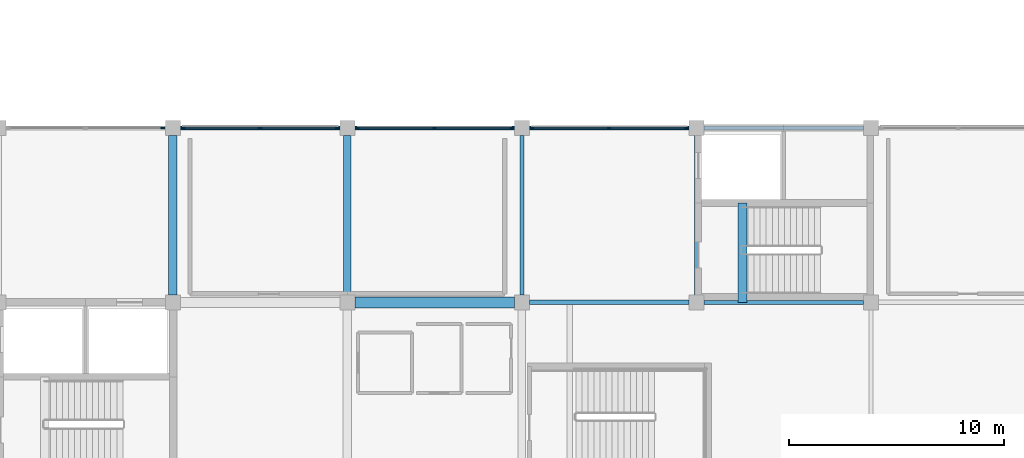
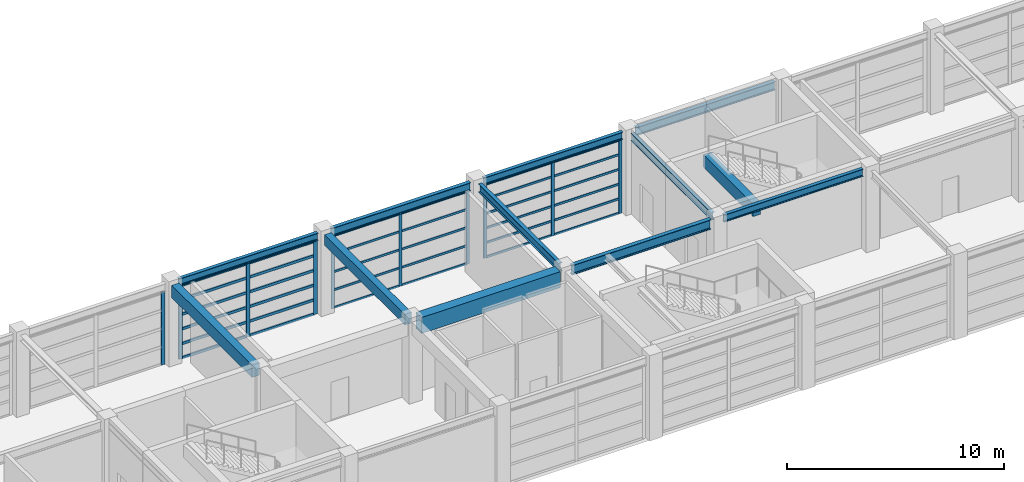
# One storey, part 31 of 58: 44 members, 12 beams, 4 elements without a shape of their own.
"""IFC4 building model written with IfcOpenShell, lengths in metres."""

from ifc_helpers import new_model, si_unit, direction, frame, origin, origin_2d, place, context, subcontext, project, spatial, rectangle, i_section, extrude, material, material_profile, profile_set, type_object, element, aggregate, save


model = new_model("IFC4")

# Units and contexts
model_context = context("Model", 3, precision=1e-05, world=origin(), true_north=direction((0.0, 1.0)))
body_context = subcontext(model_context, "Body", "Model", "MODEL_VIEW")
ifc_project = project(units=[si_unit("LENGTHUNIT", "METRE"), si_unit("AREAUNIT", "SQUARE_METRE"), si_unit("VOLUMEUNIT", "CUBIC_METRE"), si_unit("PLANEANGLEUNIT", "RADIAN"), si_unit("MASSUNIT", "GRAM", prefix="KILO")], contexts=[model_context])

# Site, building, storey
site_placement = place(None, origin())
site = spatial("IfcSite", under=ifc_project, at=site_placement, CompositionType="ELEMENT")
building_placement = place(site_placement, origin())
building = spatial("IfcBuilding", under=site, at=building_placement, Name="Parian Resonance Hall", CompositionType="ELEMENT")
storey_placement = place(building_placement, frame((0.0, 0.0, 10.199951171875)))
storey = spatial("IfcBuildingStorey", under=building, at=storey_placement, Name="L02", CompositionType="ELEMENT", Elevation=10.199951171875)

# Beams
ifc_material_1 = material(Name="Concrete C40/50", Category="concrete")
ifc_material_profile_1 = material_profile(ifc_material_1, rectangle(XDim=0.35009765625, YDim=0.60009765625, at=origin_2d()), Name="RC-BM-350x600")
ifc_profile_set_1 = profile_set([ifc_material_profile_1], Name="Concrete C40/50")
beam_type_1 = type_object("IfcBeamType", Name="BM-RC350x600", PredefinedType="BEAM", material=ifc_profile_set_1)
beam_1_placement = place(storey_placement, frame((72.89990234375, 81.35009765625, 4.260009765625), z_axis=(0.0, 1.0, 0.0), x_axis=(-1.0, 0.0, 0.0)))
element("IfcBeam", 1, at=beam_1_placement, inside=storey, type_object=beam_type_1, Name="GY-L02-0766", PredefinedType="BEAM", context=body_context, shape_type="SweptSolid", body=[
    extrude(rectangle(XDim=0.35009765625, YDim=0.60009765625, at=origin_2d()), origin(), (0.0, 0.0, 1.0), 7.39990234375),
])
ifc_material_2 = material(Name="Concrete C40/50", Category="concrete")
ifc_material_profile_2 = material_profile(ifc_material_2, rectangle(XDim=0.39990234375, YDim=0.699951171875, at=origin_2d()), Name="RC-BM-400x700")
ifc_profile_set_2 = profile_set([ifc_material_profile_2], Name="Concrete C40/50")
beam_type_2 = type_object("IfcBeamType", Name="BM-RC400x700", PredefinedType="BEAM", material=ifc_profile_set_2)
beam_2_placement = place(storey_placement, frame((64.800048828125, 81.35009765625, 4.2099609375), z_axis=(0.0, 1.0, 0.0), x_axis=(-1.0, 0.0, 0.0)))
element("IfcBeam", 2, at=beam_2_placement, inside=storey, type_object=beam_type_2, Name="GY-L02-0759", PredefinedType="BEAM", context=body_context, shape_type="SweptSolid", body=[
    extrude(rectangle(XDim=0.39990234375, YDim=0.699951171875, at=origin_2d()), origin(), (0.0, 0.0, 1.0), 7.39990234375),
])
beam_3_placement = place(storey_placement, frame((91.239990234375, 81.0, 4.2099609375), z_axis=(0.0, 1.0, 0.0), x_axis=(-1.0, 0.0, 0.0)))
element("IfcBeam", 3, at=beam_3_placement, inside=storey, type_object=beam_type_2, Name="Core K5 stair arrival trimmer beam L02", PredefinedType="BEAM", context=body_context, shape_type="SweptSolid", body=[
    extrude(rectangle(XDim=0.39990234375, YDim=0.699951171875, at=origin_2d()), origin(), (0.0, 0.0, 1.0), 4.610107421875),
])
ifc_material_3 = material(Name="Concrete C40/50", Category="concrete")
ifc_material_profile_3 = material_profile(ifc_material_3, rectangle(XDim=0.5, YDim=0.89990234375, at=origin_2d()), Name="RC-BM-500x900")
ifc_profile_set_3 = profile_set([ifc_material_profile_3], Name="Concrete C40/50")
beam_type_3 = type_object("IfcBeamType", Name="BM-RC500x900", PredefinedType="USERDEFINED", material=ifc_profile_set_3)
beam_4_placement = place(storey_placement, frame((73.25, 81.0, 4.110107421875), z_axis=(1.0, 0.0, 0.0), x_axis=(0.0, 1.0, 0.0)))
element("IfcBeam", 4, at=beam_4_placement, inside=storey, type_object=beam_type_3, Name="GX-L02-0688", ObjectType="GIRDER", PredefinedType="USERDEFINED", context=body_context, shape_type="SweptSolid", body=[
    extrude(rectangle(XDim=0.5, YDim=0.89990234375, at=origin_2d()), origin(), (0.0, 0.0, 1.0), 7.39990234375),
])
ifc_material_4 = material(Name="Steel S355", Category="steel")
ifc_material_profile_4 = material_profile(ifc_material_4, i_section(OverallWidth=0.180908203125, OverallDepth=0.4169921875, WebThickness=0.010986328125, FlangeThickness=0.018310546875, FilletRadius=0.01513671875, at=origin_2d()), Name="W410x85")
ifc_profile_set_4 = profile_set([ifc_material_profile_4], Name="Steel S355")
beam_type_4 = type_object("IfcBeamType", Name="BM-W410x85", PredefinedType="SPANDREL", material=ifc_profile_set_4)
beam_5_placement = place(storey_placement, frame((65.14990234375, 89.10009765625, 4.3515625), z_axis=(1.0, 0.0, 0.0), x_axis=(0.0, 1.0, 0.0)))
element("IfcBeam", 5, at=beam_5_placement, inside=storey, type_object=beam_type_4, Name="GX-L02-0684", PredefinedType="SPANDREL", context=body_context, shape_type="SweptSolid", body=[
    extrude(i_section(OverallWidth=0.180908203125, OverallDepth=0.4169921875, WebThickness=0.010986328125, FlangeThickness=0.018310546875, FilletRadius=0.01513671875, at=origin_2d()), origin(), (0.0, 0.0, 1.0), 7.400146484375),
])
beam_6_placement = place(storey_placement, frame((81.35009765625, 89.10009765625, 4.3515625), z_axis=(1.0, 0.0, 0.0), x_axis=(0.0, 1.0, 0.0)))
element("IfcBeam", 6, at=beam_6_placement, inside=storey, type_object=beam_type_4, Name="GX-L02-0694", PredefinedType="SPANDREL", context=body_context, shape_type="SweptSolid", body=[
    extrude(i_section(OverallWidth=0.180908203125, OverallDepth=0.4169921875, WebThickness=0.010986328125, FlangeThickness=0.018310546875, FilletRadius=0.01513671875, at=origin_2d()), origin(), (0.0, 0.0, 1.0), 7.39990234375),
])
beam_7_placement = place(storey_placement, frame((89.449951171875, 81.0, 4.3515625), z_axis=(1.0, 0.0, 0.0), x_axis=(0.0, 1.0, 0.0)))
element("IfcBeam", 7, at=beam_7_placement, inside=storey, type_object=beam_type_4, Name="GX-L02-0698", PredefinedType="SPANDREL", context=body_context, shape_type="SweptSolid", body=[
    extrude(i_section(OverallWidth=0.180908203125, OverallDepth=0.4169921875, WebThickness=0.010986328125, FlangeThickness=0.018310546875, FilletRadius=0.01513671875, at=origin_2d()), origin(), (0.0, 0.0, 1.0), 7.400146484375),
])
beam_8_placement = place(storey_placement, frame((89.10009765625, 81.35009765625, 4.3515625), z_axis=(0.0, 1.0, 0.0), x_axis=(-1.0, 0.0, 0.0)))
element("IfcBeam", 8, at=beam_8_placement, inside=storey, type_object=beam_type_4, Name="GY-L02-0769", PredefinedType="SPANDREL", context=body_context, shape_type="SweptSolid", body=[
    extrude(i_section(OverallWidth=0.180908203125, OverallDepth=0.4169921875, WebThickness=0.010986328125, FlangeThickness=0.018310546875, FilletRadius=0.01513671875, at=origin_2d()), origin(), (0.0, 0.0, 1.0), 7.39990234375),
])
ifc_material_5 = material(Name="Steel S355", Category="steel")
ifc_material_profile_5 = material_profile(ifc_material_5, i_section(OverallWidth=0.194091796875, OverallDepth=0.468994140625, WebThickness=0.0126953125, FlangeThickness=0.0205078125, FilletRadius=0.01513671875, at=origin_2d()), Name="W460x106")
ifc_profile_set_5 = profile_set([ifc_material_profile_5], Name="Steel S355")
beam_type_5 = type_object("IfcBeamType", Name="BM-W460x106", PredefinedType="SPANDREL", material=ifc_profile_set_5)
beam_9_placement = place(storey_placement, frame((73.25, 89.10009765625, 4.325439453125), z_axis=(1.0, 0.0, 0.0), x_axis=(0.0, 1.0, 0.0)))
element("IfcBeam", 9, at=beam_9_placement, inside=storey, type_object=beam_type_5, Name="GX-L02-0689", PredefinedType="SPANDREL", context=body_context, shape_type="SweptSolid", body=[
    extrude(i_section(OverallWidth=0.194091796875, OverallDepth=0.468994140625, WebThickness=0.0126953125, FlangeThickness=0.0205078125, FilletRadius=0.01513671875, at=origin_2d()), origin(), (0.0, 0.0, 1.0), 7.39990234375),
])
beam_10_placement = place(storey_placement, frame((89.449951171875, 89.10009765625, 4.325439453125), z_axis=(1.0, 0.0, 0.0), x_axis=(0.0, 1.0, 0.0)))
element("IfcBeam", 10, at=beam_10_placement, inside=storey, type_object=beam_type_5, Name="GX-L02-0699", PredefinedType="SPANDREL", context=body_context, shape_type="SweptSolid", body=[
    extrude(i_section(OverallWidth=0.194091796875, OverallDepth=0.468994140625, WebThickness=0.0126953125, FlangeThickness=0.0205078125, FilletRadius=0.01513671875, at=origin_2d()), origin(), (0.0, 0.0, 1.0), 7.400146484375),
])
beam_11_placement = place(storey_placement, frame((81.0, 81.35009765625, 4.325439453125), z_axis=(0.0, 1.0, 0.0), x_axis=(-1.0, 0.0, 0.0)))
element("IfcBeam", 11, at=beam_11_placement, inside=storey, type_object=beam_type_5, Name="GY-L02-0768", PredefinedType="SPANDREL", context=body_context, shape_type="SweptSolid", body=[
    extrude(i_section(OverallWidth=0.194091796875, OverallDepth=0.468994140625, WebThickness=0.0126953125, FlangeThickness=0.0205078125, FilletRadius=0.01513671875, at=origin_2d()), origin(), (0.0, 0.0, 1.0), 7.39990234375),
])
ifc_material_6 = material(Name="Steel S355", Category="steel")
ifc_material_profile_6 = material_profile(ifc_material_6, i_section(OverallWidth=0.2119140625, OverallDepth=0.5439453125, WebThickness=0.01318359375, FlangeThickness=0.021240234375, FilletRadius=0.017822265625, at=origin_2d()), Name="W530x123")
ifc_profile_set_6 = profile_set([ifc_material_profile_6], Name="Steel S355")
beam_type_6 = type_object("IfcBeamType", Name="BM-W530x123", PredefinedType="USERDEFINED", material=ifc_profile_set_6)
beam_12_placement = place(storey_placement, frame((81.35009765625, 81.0, 4.2880859375), z_axis=(1.0, 0.0, 0.0), x_axis=(0.0, 1.0, 0.0)))
element("IfcBeam", 12, at=beam_12_placement, inside=storey, type_object=beam_type_6, Name="GX-L02-0693", ObjectType="GIRDER", PredefinedType="USERDEFINED", context=body_context, shape_type="SweptSolid", body=[
    extrude(i_section(OverallWidth=0.2119140625, OverallDepth=0.5439453125, WebThickness=0.01318359375, FlangeThickness=0.021240234375, FilletRadius=0.017822265625, at=origin_2d()), origin(), (0.0, 0.0, 1.0), 7.39990234375),
])

# Curtain wall, members
ifc_material_7 = material(Name="Bronze-anodised aluminium frame", Category="aluminium")
curtain_wall_type_1 = type_object("IfcCurtainWallType", Name="CW-SYS-05", PredefinedType="NOTDEFINED", material=ifc_material_7)
curtain_wall_1_placement = place(storey_placement, origin())
curtain_wall_1 = element("IfcCurtainWall", 13, at=curtain_wall_1_placement, inside=storey, type_object=curtain_wall_type_1, Name="Curtain wall CW-L02-095", PredefinedType="NOTDEFINED")
ifc_material_8 = material(Name="Bronze-anodised aluminium frame", Category="aluminium")
ifc_material_profile_7 = material_profile(ifc_material_8, rectangle(XDim=0.06494140625, YDim=0.159912109375, at=origin_2d()), Name="CWM-65x160")
ifc_profile_set_7 = profile_set([ifc_material_profile_7], Name="Bronze-anodised aluminium frame")
member_type_1 = type_object("IfcMemberType", Name="CWM-65x160", PredefinedType="MULLION", material=ifc_profile_set_7)
member_1_placement = place(storey_placement, frame((73.362548828125, 89.10009765625, -0.008056640625), z_axis=(0.0, 0.0, 1.0), x_axis=(0.0, 1.0, 0.0)))
member_1 = element("IfcMember", 14, at=member_1_placement, type_object=member_type_1, Name="CW-05 mullion 1", PredefinedType="MULLION", context=body_context, shape_type="SweptSolid", body=[
    extrude(rectangle(XDim=0.06494140625, YDim=0.159912109375, at=origin_2d()), origin(), (0.0, 0.0, 1.0), 4.10302734375),
])
member_2_placement = place(storey_placement, frame((76.949951171875, 89.10009765625, -0.008056640625), z_axis=(0.0, 0.0, 1.0), x_axis=(0.0, 1.0, 0.0)))
member_2 = element("IfcMember", 15, at=member_2_placement, type_object=member_type_1, Name="CW-05 mullion 2", PredefinedType="MULLION", context=body_context, shape_type="SweptSolid", body=[
    extrude(rectangle(XDim=0.06494140625, YDim=0.159912109375, at=origin_2d()), origin(), (0.0, 0.0, 1.0), 4.10302734375),
])
member_3_placement = place(storey_placement, frame((80.53759765625, 89.10009765625, -0.008056640625), z_axis=(0.0, 0.0, 1.0), x_axis=(0.0, 1.0, 0.0)))
member_3 = element("IfcMember", 16, at=member_3_placement, type_object=member_type_1, Name="CW-05 mullion 3", PredefinedType="MULLION", context=body_context, shape_type="SweptSolid", body=[
    extrude(rectangle(XDim=0.06494140625, YDim=0.159912109375, at=origin_2d()), origin(), (0.0, 0.0, 1.0), 4.10302734375),
])

ifc_material_9 = material(Name="Bronze-anodised aluminium frame", Category="aluminium")
curtain_wall_type_2 = type_object("IfcCurtainWallType", Name="CW-SYS-06", PredefinedType="NOTDEFINED", material=ifc_material_9)
curtain_wall_2_placement = place(storey_placement, origin())
curtain_wall_2 = element("IfcCurtainWall", 17, at=curtain_wall_2_placement, inside=storey, type_object=curtain_wall_type_2, Name="Curtain wall CW-L02-099", PredefinedType="NOTDEFINED")
member_4_placement = place(storey_placement, frame((81.46240234375, 89.10009765625, -0.008056640625), z_axis=(0.0, 0.0, 1.0), x_axis=(0.0, 1.0, 0.0)))
member_4 = element("IfcMember", 18, at=member_4_placement, type_object=member_type_1, Name="CW-06 mullion 1", PredefinedType="MULLION", context=body_context, shape_type="SweptSolid", body=[
    extrude(rectangle(XDim=0.06494140625, YDim=0.159912109375, at=origin_2d()), origin(), (0.0, 0.0, 1.0), 4.155029296875),
])
member_5_placement = place(storey_placement, frame((85.050048828125, 89.10009765625, -0.008056640625), z_axis=(0.0, 0.0, 1.0), x_axis=(0.0, 1.0, 0.0)))
member_5 = element("IfcMember", 19, at=member_5_placement, type_object=member_type_1, Name="CW-06 mullion 2", PredefinedType="MULLION", context=body_context, shape_type="SweptSolid", body=[
    extrude(rectangle(XDim=0.06494140625, YDim=0.159912109375, at=origin_2d()), origin(), (0.0, 0.0, 1.0), 4.155029296875),
])
member_6_placement = place(storey_placement, frame((88.637451171875, 89.10009765625, -0.008056640625), z_axis=(0.0, 0.0, 1.0), x_axis=(0.0, 1.0, 0.0)))
member_6 = element("IfcMember", 20, at=member_6_placement, type_object=member_type_1, Name="CW-06 mullion 3", PredefinedType="MULLION", context=body_context, shape_type="SweptSolid", body=[
    extrude(rectangle(XDim=0.06494140625, YDim=0.159912109375, at=origin_2d()), origin(), (0.0, 0.0, 1.0), 4.155029296875),
])

# Curtain wall, member
ifc_material_10 = material(Name="Bronze-anodised aluminium frame", Category="aluminium")
curtain_wall_type_3 = type_object("IfcCurtainWallType", Name="CW-SYS-03", PredefinedType="NOTDEFINED", material=ifc_material_10)
curtain_wall_3_placement = place(storey_placement, origin())
curtain_wall_3 = element("IfcCurtainWall", 21, at=curtain_wall_3_placement, inside=storey, type_object=curtain_wall_type_3, Name="Curtain wall CW-L02-088", PredefinedType="NOTDEFINED")
ifc_material_11 = material(Name="Bronze-anodised aluminium frame", Category="aluminium")
ifc_material_profile_8 = material_profile(ifc_material_11, rectangle(XDim=0.074951171875, YDim=0.199951171875, at=origin_2d()), Name="CWM-75x200")
ifc_profile_set_8 = profile_set([ifc_material_profile_8], Name="Bronze-anodised aluminium frame")
member_type_2 = type_object("IfcMemberType", Name="CWM-75x200", PredefinedType="MULLION", material=ifc_profile_set_8)
member_7_placement = place(storey_placement, frame((64.33251953125, 89.10009765625, -0.008056640625), z_axis=(0.0, 0.0, 1.0), x_axis=(0.0, 1.0, 0.0)))
member_7 = element("IfcMember", 22, at=member_7_placement, type_object=member_type_2, Name="CW-03 mullion 3", PredefinedType="MULLION", context=body_context, shape_type="SweptSolid", body=[
    extrude(rectangle(XDim=0.074951171875, YDim=0.199951171875, at=origin_2d()), origin(), (0.0, 0.0, 1.0), 4.10302734375),
])
aggregate(curtain_wall_3, [member_7])

# Curtain wall, members
ifc_material_12 = material(Name="Bronze-anodised aluminium frame", Category="aluminium")
curtain_wall_type_4 = type_object("IfcCurtainWallType", Name="CW-SYS-04", PredefinedType="NOTDEFINED", material=ifc_material_12)
curtain_wall_4_placement = place(storey_placement, origin())
curtain_wall_4 = element("IfcCurtainWall", 23, at=curtain_wall_4_placement, inside=storey, type_object=curtain_wall_type_4, Name="Curtain wall CW-L02-092", PredefinedType="NOTDEFINED")
member_8_placement = place(storey_placement, frame((65.267578125, 89.10009765625, -0.008056640625), z_axis=(0.0, 0.0, 1.0), x_axis=(0.0, 1.0, 0.0)))
member_8 = element("IfcMember", 24, at=member_8_placement, type_object=member_type_2, Name="CW-04 mullion 1", PredefinedType="MULLION", context=body_context, shape_type="SweptSolid", body=[
    extrude(rectangle(XDim=0.074951171875, YDim=0.199951171875, at=origin_2d()), origin(), (0.0, 0.0, 1.0), 4.155029296875),
])
member_9_placement = place(storey_placement, frame((68.85009765625, 89.10009765625, -0.008056640625), z_axis=(0.0, 0.0, 1.0), x_axis=(0.0, 1.0, 0.0)))
member_9 = element("IfcMember", 25, at=member_9_placement, type_object=member_type_2, Name="CW-04 mullion 2", PredefinedType="MULLION", context=body_context, shape_type="SweptSolid", body=[
    extrude(rectangle(XDim=0.074951171875, YDim=0.199951171875, at=origin_2d()), origin(), (0.0, 0.0, 1.0), 4.155029296875),
])
member_10_placement = place(storey_placement, frame((72.4326171875, 89.10009765625, -0.008056640625), z_axis=(0.0, 0.0, 1.0), x_axis=(0.0, 1.0, 0.0)))
member_10 = element("IfcMember", 26, at=member_10_placement, type_object=member_type_2, Name="CW-04 mullion 3", PredefinedType="MULLION", context=body_context, shape_type="SweptSolid", body=[
    extrude(rectangle(XDim=0.074951171875, YDim=0.199951171875, at=origin_2d()), origin(), (0.0, 0.0, 1.0), 4.155029296875),
])

# Member
ifc_material_13 = material(Name="Bronze-anodised aluminium frame", Category="aluminium")
ifc_material_profile_9 = material_profile(ifc_material_13, rectangle(XDim=0.06494140625, YDim=0.1201171875, at=origin_2d()), Name="CWT-65x120")
ifc_profile_set_9 = profile_set([ifc_material_profile_9], Name="Bronze-anodised aluminium frame")
member_type_3 = type_object("IfcMemberType", Name="CWT-65x120", PredefinedType="USERDEFINED", material=ifc_profile_set_9)
member_11_placement = place(storey_placement, frame((73.39501953125, 89.10009765625, 0.024658203125), z_axis=(1.0, 0.0, 0.0), x_axis=(0.0, 1.0, 0.0)))
member_11 = element("IfcMember", 27, at=member_11_placement, type_object=member_type_3, Name="CW-05 transom 1.1", ObjectType="TRANSOM", PredefinedType="USERDEFINED", context=body_context, shape_type="SweptSolid", body=[
    extrude(rectangle(XDim=0.06494140625, YDim=0.1201171875, at=origin_2d()), origin(), (0.0, 0.0, 1.0), 3.5224609375),
])

member_12_placement = place(storey_placement, frame((73.39501953125, 89.10009765625, 1.021240234375), z_axis=(1.0, 0.0, 0.0), x_axis=(0.0, 1.0, 0.0)))
member_12 = element("IfcMember", 28, at=member_12_placement, type_object=member_type_3, Name="CW-05 transom 1.2", ObjectType="TRANSOM", PredefinedType="USERDEFINED", context=body_context, shape_type="SweptSolid", body=[
    extrude(rectangle(XDim=0.06494140625, YDim=0.1201171875, at=origin_2d()), origin(), (0.0, 0.0, 1.0), 3.5224609375),
])

member_13_placement = place(storey_placement, frame((73.39501953125, 89.10009765625, 2.04248046875), z_axis=(1.0, 0.0, 0.0), x_axis=(0.0, 1.0, 0.0)))
member_13 = element("IfcMember", 29, at=member_13_placement, type_object=member_type_3, Name="CW-05 transom 1.3", ObjectType="TRANSOM", PredefinedType="USERDEFINED", context=body_context, shape_type="SweptSolid", body=[
    extrude(rectangle(XDim=0.06494140625, YDim=0.1201171875, at=origin_2d()), origin(), (0.0, 0.0, 1.0), 3.5224609375),
])

member_14_placement = place(storey_placement, frame((73.39501953125, 89.10009765625, 3.063720703125), z_axis=(1.0, 0.0, 0.0), x_axis=(0.0, 1.0, 0.0)))
member_14 = element("IfcMember", 30, at=member_14_placement, type_object=member_type_3, Name="CW-05 transom 1.4", ObjectType="TRANSOM", PredefinedType="USERDEFINED", context=body_context, shape_type="SweptSolid", body=[
    extrude(rectangle(XDim=0.06494140625, YDim=0.1201171875, at=origin_2d()), origin(), (0.0, 0.0, 1.0), 3.5224609375),
])

member_15_placement = place(storey_placement, frame((73.39501953125, 89.10009765625, 4.0625), z_axis=(1.0, 0.0, 0.0), x_axis=(0.0, 1.0, 0.0)))
member_15 = element("IfcMember", 31, at=member_15_placement, type_object=member_type_3, Name="CW-05 transom 1.5", ObjectType="TRANSOM", PredefinedType="USERDEFINED", context=body_context, shape_type="SweptSolid", body=[
    extrude(rectangle(XDim=0.06494140625, YDim=0.1201171875, at=origin_2d()), origin(), (0.0, 0.0, 1.0), 3.5224609375),
])

member_16_placement = place(storey_placement, frame((76.982421875, 89.10009765625, 0.024658203125), z_axis=(1.0, 0.0, 0.0), x_axis=(0.0, 1.0, 0.0)))
member_16 = element("IfcMember", 32, at=member_16_placement, type_object=member_type_3, Name="CW-05 transom 2.1", ObjectType="TRANSOM", PredefinedType="USERDEFINED", context=body_context, shape_type="SweptSolid", body=[
    extrude(rectangle(XDim=0.06494140625, YDim=0.1201171875, at=origin_2d()), origin(), (0.0, 0.0, 1.0), 3.5224609375),
])

member_17_placement = place(storey_placement, frame((76.982421875, 89.10009765625, 1.021240234375), z_axis=(1.0, 0.0, 0.0), x_axis=(0.0, 1.0, 0.0)))
member_17 = element("IfcMember", 33, at=member_17_placement, type_object=member_type_3, Name="CW-05 transom 2.2", ObjectType="TRANSOM", PredefinedType="USERDEFINED", context=body_context, shape_type="SweptSolid", body=[
    extrude(rectangle(XDim=0.06494140625, YDim=0.1201171875, at=origin_2d()), origin(), (0.0, 0.0, 1.0), 3.5224609375),
])

member_18_placement = place(storey_placement, frame((76.982421875, 89.10009765625, 2.04248046875), z_axis=(1.0, 0.0, 0.0), x_axis=(0.0, 1.0, 0.0)))
member_18 = element("IfcMember", 34, at=member_18_placement, type_object=member_type_3, Name="CW-05 transom 2.3", ObjectType="TRANSOM", PredefinedType="USERDEFINED", context=body_context, shape_type="SweptSolid", body=[
    extrude(rectangle(XDim=0.06494140625, YDim=0.1201171875, at=origin_2d()), origin(), (0.0, 0.0, 1.0), 3.5224609375),
])

member_19_placement = place(storey_placement, frame((76.982421875, 89.10009765625, 3.063720703125), z_axis=(1.0, 0.0, 0.0), x_axis=(0.0, 1.0, 0.0)))
member_19 = element("IfcMember", 35, at=member_19_placement, type_object=member_type_3, Name="CW-05 transom 2.4", ObjectType="TRANSOM", PredefinedType="USERDEFINED", context=body_context, shape_type="SweptSolid", body=[
    extrude(rectangle(XDim=0.06494140625, YDim=0.1201171875, at=origin_2d()), origin(), (0.0, 0.0, 1.0), 3.5224609375),
])

member_20_placement = place(storey_placement, frame((76.982421875, 89.10009765625, 4.0625), z_axis=(1.0, 0.0, 0.0), x_axis=(0.0, 1.0, 0.0)))
member_20 = element("IfcMember", 36, at=member_20_placement, type_object=member_type_3, Name="CW-05 transom 2.5", ObjectType="TRANSOM", PredefinedType="USERDEFINED", context=body_context, shape_type="SweptSolid", body=[
    extrude(rectangle(XDim=0.06494140625, YDim=0.1201171875, at=origin_2d()), origin(), (0.0, 0.0, 1.0), 3.5224609375),
])

aggregate(curtain_wall_1, [member_1, member_2, member_3, member_11, member_12, member_13, member_14, member_15, member_16, member_17, member_18, member_19, member_20])

member_21_placement = place(storey_placement, frame((81.4951171875, 89.10009765625, 0.024658203125), z_axis=(1.0, 0.0, 0.0), x_axis=(0.0, 1.0, 0.0)))
member_21 = element("IfcMember", 37, at=member_21_placement, type_object=member_type_3, Name="CW-06 transom 1.1", ObjectType="TRANSOM", PredefinedType="USERDEFINED", context=body_context, shape_type="SweptSolid", body=[
    extrude(rectangle(XDim=0.06494140625, YDim=0.1201171875, at=origin_2d()), origin(), (0.0, 0.0, 1.0), 3.5224609375),
])

member_22_placement = place(storey_placement, frame((81.4951171875, 89.10009765625, 0.827392578125), z_axis=(1.0, 0.0, 0.0), x_axis=(0.0, 1.0, 0.0)))
member_22 = element("IfcMember", 38, at=member_22_placement, type_object=member_type_3, Name="CW-06 transom 1.2", ObjectType="TRANSOM", PredefinedType="USERDEFINED", context=body_context, shape_type="SweptSolid", body=[
    extrude(rectangle(XDim=0.06494140625, YDim=0.1201171875, at=origin_2d()), origin(), (0.0, 0.0, 1.0), 3.5224609375),
])

member_23_placement = place(storey_placement, frame((81.4951171875, 89.10009765625, 1.65478515625), z_axis=(1.0, 0.0, 0.0), x_axis=(0.0, 1.0, 0.0)))
member_23 = element("IfcMember", 39, at=member_23_placement, type_object=member_type_3, Name="CW-06 transom 1.3", ObjectType="TRANSOM", PredefinedType="USERDEFINED", context=body_context, shape_type="SweptSolid", body=[
    extrude(rectangle(XDim=0.06494140625, YDim=0.1201171875, at=origin_2d()), origin(), (0.0, 0.0, 1.0), 3.5224609375),
])

member_24_placement = place(storey_placement, frame((81.4951171875, 89.10009765625, 2.482177734375), z_axis=(1.0, 0.0, 0.0), x_axis=(0.0, 1.0, 0.0)))
member_24 = element("IfcMember", 40, at=member_24_placement, type_object=member_type_3, Name="CW-06 transom 1.4", ObjectType="TRANSOM", PredefinedType="USERDEFINED", context=body_context, shape_type="SweptSolid", body=[
    extrude(rectangle(XDim=0.06494140625, YDim=0.1201171875, at=origin_2d()), origin(), (0.0, 0.0, 1.0), 3.5224609375),
])

member_25_placement = place(storey_placement, frame((81.4951171875, 89.10009765625, 3.3095703125), z_axis=(1.0, 0.0, 0.0), x_axis=(0.0, 1.0, 0.0)))
member_25 = element("IfcMember", 41, at=member_25_placement, type_object=member_type_3, Name="CW-06 transom 1.5", ObjectType="TRANSOM", PredefinedType="USERDEFINED", context=body_context, shape_type="SweptSolid", body=[
    extrude(rectangle(XDim=0.06494140625, YDim=0.1201171875, at=origin_2d()), origin(), (0.0, 0.0, 1.0), 3.5224609375),
])

member_26_placement = place(storey_placement, frame((81.4951171875, 89.10009765625, 4.114501953125), z_axis=(1.0, 0.0, 0.0), x_axis=(0.0, 1.0, 0.0)))
member_26 = element("IfcMember", 42, at=member_26_placement, type_object=member_type_3, Name="CW-06 transom 1.6", ObjectType="TRANSOM", PredefinedType="USERDEFINED", context=body_context, shape_type="SweptSolid", body=[
    extrude(rectangle(XDim=0.06494140625, YDim=0.1201171875, at=origin_2d()), origin(), (0.0, 0.0, 1.0), 3.5224609375),
])

member_27_placement = place(storey_placement, frame((85.08251953125, 89.10009765625, 0.024658203125), z_axis=(1.0, 0.0, 0.0), x_axis=(0.0, 1.0, 0.0)))
member_27 = element("IfcMember", 43, at=member_27_placement, type_object=member_type_3, Name="CW-06 transom 2.1", ObjectType="TRANSOM", PredefinedType="USERDEFINED", context=body_context, shape_type="SweptSolid", body=[
    extrude(rectangle(XDim=0.06494140625, YDim=0.1201171875, at=origin_2d()), origin(), (0.0, 0.0, 1.0), 3.5224609375),
])

member_28_placement = place(storey_placement, frame((85.08251953125, 89.10009765625, 0.827392578125), z_axis=(1.0, 0.0, 0.0), x_axis=(0.0, 1.0, 0.0)))
member_28 = element("IfcMember", 44, at=member_28_placement, type_object=member_type_3, Name="CW-06 transom 2.2", ObjectType="TRANSOM", PredefinedType="USERDEFINED", context=body_context, shape_type="SweptSolid", body=[
    extrude(rectangle(XDim=0.06494140625, YDim=0.1201171875, at=origin_2d()), origin(), (0.0, 0.0, 1.0), 3.5224609375),
])

member_29_placement = place(storey_placement, frame((85.08251953125, 89.10009765625, 1.65478515625), z_axis=(1.0, 0.0, 0.0), x_axis=(0.0, 1.0, 0.0)))
member_29 = element("IfcMember", 45, at=member_29_placement, type_object=member_type_3, Name="CW-06 transom 2.3", ObjectType="TRANSOM", PredefinedType="USERDEFINED", context=body_context, shape_type="SweptSolid", body=[
    extrude(rectangle(XDim=0.06494140625, YDim=0.1201171875, at=origin_2d()), origin(), (0.0, 0.0, 1.0), 3.5224609375),
])

member_30_placement = place(storey_placement, frame((85.08251953125, 89.10009765625, 2.482177734375), z_axis=(1.0, 0.0, 0.0), x_axis=(0.0, 1.0, 0.0)))
member_30 = element("IfcMember", 46, at=member_30_placement, type_object=member_type_3, Name="CW-06 transom 2.4", ObjectType="TRANSOM", PredefinedType="USERDEFINED", context=body_context, shape_type="SweptSolid", body=[
    extrude(rectangle(XDim=0.06494140625, YDim=0.1201171875, at=origin_2d()), origin(), (0.0, 0.0, 1.0), 3.5224609375),
])

member_31_placement = place(storey_placement, frame((85.08251953125, 89.10009765625, 3.3095703125), z_axis=(1.0, 0.0, 0.0), x_axis=(0.0, 1.0, 0.0)))
member_31 = element("IfcMember", 47, at=member_31_placement, type_object=member_type_3, Name="CW-06 transom 2.5", ObjectType="TRANSOM", PredefinedType="USERDEFINED", context=body_context, shape_type="SweptSolid", body=[
    extrude(rectangle(XDim=0.06494140625, YDim=0.1201171875, at=origin_2d()), origin(), (0.0, 0.0, 1.0), 3.5224609375),
])

member_32_placement = place(storey_placement, frame((85.08251953125, 89.10009765625, 4.114501953125), z_axis=(1.0, 0.0, 0.0), x_axis=(0.0, 1.0, 0.0)))
member_32 = element("IfcMember", 48, at=member_32_placement, type_object=member_type_3, Name="CW-06 transom 2.6", ObjectType="TRANSOM", PredefinedType="USERDEFINED", context=body_context, shape_type="SweptSolid", body=[
    extrude(rectangle(XDim=0.06494140625, YDim=0.1201171875, at=origin_2d()), origin(), (0.0, 0.0, 1.0), 3.5224609375),
])

aggregate(curtain_wall_2, [member_4, member_5, member_6, member_21, member_22, member_23, member_24, member_25, member_26, member_27, member_28, member_29, member_30, member_31, member_32])

ifc_material_14 = material(Name="Bronze-anodised aluminium frame", Category="aluminium")
ifc_material_profile_10 = material_profile(ifc_material_14, rectangle(XDim=0.074951171875, YDim=0.14990234375, at=origin_2d()), Name="CWT-75x150")
ifc_profile_set_10 = profile_set([ifc_material_profile_10], Name="Bronze-anodised aluminium frame")
member_type_4 = type_object("IfcMemberType", Name="CWT-75x150", PredefinedType="USERDEFINED", material=ifc_profile_set_10)
member_33_placement = place(storey_placement, frame((65.304931640625, 89.10009765625, 0.029541015625), z_axis=(1.0, 0.0, 0.0), x_axis=(0.0, 1.0, 0.0)))
member_33 = element("IfcMember", 49, at=member_33_placement, type_object=member_type_4, Name="CW-04 transom 1.1", ObjectType="TRANSOM", PredefinedType="USERDEFINED", context=body_context, shape_type="SweptSolid", body=[
    extrude(rectangle(XDim=0.074951171875, YDim=0.14990234375, at=origin_2d()), origin(), (0.0, 0.0, 1.0), 3.507568359375),
])

member_34_placement = place(storey_placement, frame((65.304931640625, 89.10009765625, 0.827392578125), z_axis=(1.0, 0.0, 0.0), x_axis=(0.0, 1.0, 0.0)))
member_34 = element("IfcMember", 50, at=member_34_placement, type_object=member_type_4, Name="CW-04 transom 1.2", ObjectType="TRANSOM", PredefinedType="USERDEFINED", context=body_context, shape_type="SweptSolid", body=[
    extrude(rectangle(XDim=0.074951171875, YDim=0.14990234375, at=origin_2d()), origin(), (0.0, 0.0, 1.0), 3.507568359375),
])

member_35_placement = place(storey_placement, frame((65.304931640625, 89.10009765625, 1.65478515625), z_axis=(1.0, 0.0, 0.0), x_axis=(0.0, 1.0, 0.0)))
member_35 = element("IfcMember", 51, at=member_35_placement, type_object=member_type_4, Name="CW-04 transom 1.3", ObjectType="TRANSOM", PredefinedType="USERDEFINED", context=body_context, shape_type="SweptSolid", body=[
    extrude(rectangle(XDim=0.074951171875, YDim=0.14990234375, at=origin_2d()), origin(), (0.0, 0.0, 1.0), 3.507568359375),
])

member_36_placement = place(storey_placement, frame((65.304931640625, 89.10009765625, 2.482177734375), z_axis=(1.0, 0.0, 0.0), x_axis=(0.0, 1.0, 0.0)))
member_36 = element("IfcMember", 52, at=member_36_placement, type_object=member_type_4, Name="CW-04 transom 1.4", ObjectType="TRANSOM", PredefinedType="USERDEFINED", context=body_context, shape_type="SweptSolid", body=[
    extrude(rectangle(XDim=0.074951171875, YDim=0.14990234375, at=origin_2d()), origin(), (0.0, 0.0, 1.0), 3.507568359375),
])

member_37_placement = place(storey_placement, frame((65.304931640625, 89.10009765625, 3.3095703125), z_axis=(1.0, 0.0, 0.0), x_axis=(0.0, 1.0, 0.0)))
member_37 = element("IfcMember", 53, at=member_37_placement, type_object=member_type_4, Name="CW-04 transom 1.5", ObjectType="TRANSOM", PredefinedType="USERDEFINED", context=body_context, shape_type="SweptSolid", body=[
    extrude(rectangle(XDim=0.074951171875, YDim=0.14990234375, at=origin_2d()), origin(), (0.0, 0.0, 1.0), 3.507568359375),
])

member_38_placement = place(storey_placement, frame((65.304931640625, 89.10009765625, 4.109619140625), z_axis=(1.0, 0.0, 0.0), x_axis=(0.0, 1.0, 0.0)))
member_38 = element("IfcMember", 54, at=member_38_placement, type_object=member_type_4, Name="CW-04 transom 1.6", ObjectType="TRANSOM", PredefinedType="USERDEFINED", context=body_context, shape_type="SweptSolid", body=[
    extrude(rectangle(XDim=0.074951171875, YDim=0.14990234375, at=origin_2d()), origin(), (0.0, 0.0, 1.0), 3.507568359375),
])

member_39_placement = place(storey_placement, frame((68.887451171875, 89.10009765625, 0.029541015625), z_axis=(1.0, 0.0, 0.0), x_axis=(0.0, 1.0, 0.0)))
member_39 = element("IfcMember", 55, at=member_39_placement, type_object=member_type_4, Name="CW-04 transom 2.1", ObjectType="TRANSOM", PredefinedType="USERDEFINED", context=body_context, shape_type="SweptSolid", body=[
    extrude(rectangle(XDim=0.074951171875, YDim=0.14990234375, at=origin_2d()), origin(), (0.0, 0.0, 1.0), 3.507568359375),
])

member_40_placement = place(storey_placement, frame((68.887451171875, 89.10009765625, 0.827392578125), z_axis=(1.0, 0.0, 0.0), x_axis=(0.0, 1.0, 0.0)))
member_40 = element("IfcMember", 56, at=member_40_placement, type_object=member_type_4, Name="CW-04 transom 2.2", ObjectType="TRANSOM", PredefinedType="USERDEFINED", context=body_context, shape_type="SweptSolid", body=[
    extrude(rectangle(XDim=0.074951171875, YDim=0.14990234375, at=origin_2d()), origin(), (0.0, 0.0, 1.0), 3.507568359375),
])

member_41_placement = place(storey_placement, frame((68.887451171875, 89.10009765625, 1.65478515625), z_axis=(1.0, 0.0, 0.0), x_axis=(0.0, 1.0, 0.0)))
member_41 = element("IfcMember", 57, at=member_41_placement, type_object=member_type_4, Name="CW-04 transom 2.3", ObjectType="TRANSOM", PredefinedType="USERDEFINED", context=body_context, shape_type="SweptSolid", body=[
    extrude(rectangle(XDim=0.074951171875, YDim=0.14990234375, at=origin_2d()), origin(), (0.0, 0.0, 1.0), 3.507568359375),
])

member_42_placement = place(storey_placement, frame((68.887451171875, 89.10009765625, 2.482177734375), z_axis=(1.0, 0.0, 0.0), x_axis=(0.0, 1.0, 0.0)))
member_42 = element("IfcMember", 58, at=member_42_placement, type_object=member_type_4, Name="CW-04 transom 2.4", ObjectType="TRANSOM", PredefinedType="USERDEFINED", context=body_context, shape_type="SweptSolid", body=[
    extrude(rectangle(XDim=0.074951171875, YDim=0.14990234375, at=origin_2d()), origin(), (0.0, 0.0, 1.0), 3.507568359375),
])

member_43_placement = place(storey_placement, frame((68.887451171875, 89.10009765625, 3.3095703125), z_axis=(1.0, 0.0, 0.0), x_axis=(0.0, 1.0, 0.0)))
member_43 = element("IfcMember", 59, at=member_43_placement, type_object=member_type_4, Name="CW-04 transom 2.5", ObjectType="TRANSOM", PredefinedType="USERDEFINED", context=body_context, shape_type="SweptSolid", body=[
    extrude(rectangle(XDim=0.074951171875, YDim=0.14990234375, at=origin_2d()), origin(), (0.0, 0.0, 1.0), 3.507568359375),
])

member_44_placement = place(storey_placement, frame((68.887451171875, 89.10009765625, 4.109619140625), z_axis=(1.0, 0.0, 0.0), x_axis=(0.0, 1.0, 0.0)))
member_44 = element("IfcMember", 60, at=member_44_placement, type_object=member_type_4, Name="CW-04 transom 2.6", ObjectType="TRANSOM", PredefinedType="USERDEFINED", context=body_context, shape_type="SweptSolid", body=[
    extrude(rectangle(XDim=0.074951171875, YDim=0.14990234375, at=origin_2d()), origin(), (0.0, 0.0, 1.0), 3.507568359375),
])

aggregate(curtain_wall_4, [member_8, member_9, member_10, member_33, member_34, member_35, member_36, member_37, member_38, member_39, member_40, member_41, member_42, member_43, member_44])

save(model, "model.ifc")
